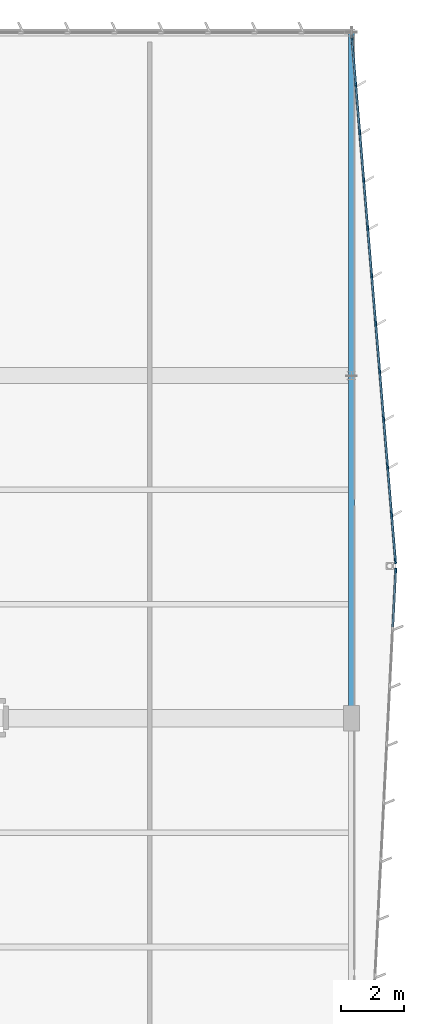
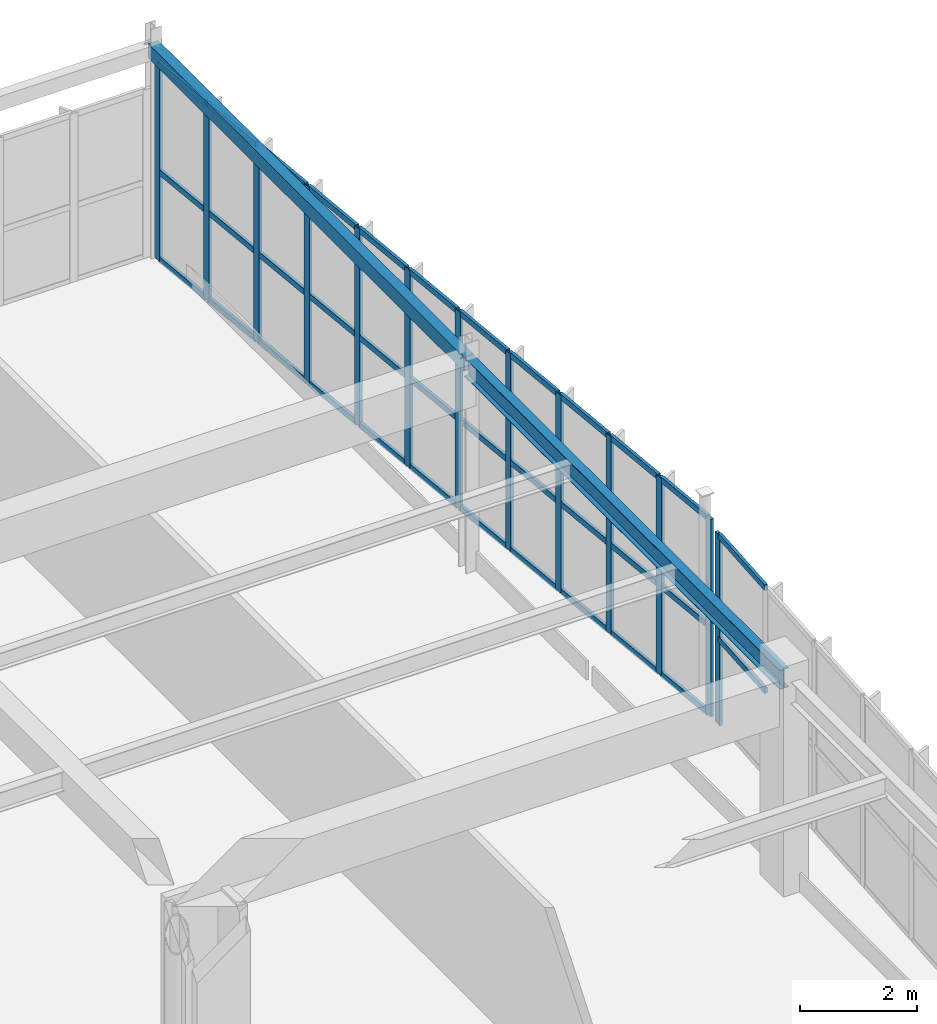
# One storey, part 112 of 186: 48 members, 2 beams, 2 elements without a shape of their own.
"""IFC4 building model written with IfcOpenShell, lengths in metres."""

from ifc_helpers import new_model, si_unit, direction, frame, origin, origin_2d, place, context, subcontext, project, spatial, rectangle, hollow_rectangle, i_section, extrude, material, layer, layer_set, material_profile, profile_set, type_object, element, aggregate, save


model = new_model("IFC4")

# Units and contexts
model_context = context("Model", 3, precision=1e-05, world=origin(), true_north=direction((0.0, 1.0)))
body_context = subcontext(model_context, "Body", "Model", "MODEL_VIEW")
ifc_project = project(units=[si_unit("LENGTHUNIT", "METRE"), si_unit("AREAUNIT", "SQUARE_METRE"), si_unit("VOLUMEUNIT", "CUBIC_METRE"), si_unit("PLANEANGLEUNIT", "RADIAN"), si_unit("MASSUNIT", "GRAM", prefix="KILO")], contexts=[model_context])

# Site, building, storey
site_placement = place(None, origin())
site = spatial("IfcSite", under=ifc_project, at=site_placement, CompositionType="ELEMENT")
building_placement = place(site_placement, origin())
building = spatial("IfcBuilding", under=site, at=building_placement, Name="Tarnwether General Hospital", CompositionType="ELEMENT")
storey_placement = place(building_placement, frame((0.0, 0.0, 9.60009765625)))
storey = spatial("IfcBuildingStorey", under=building, at=storey_placement, Name="L02", CompositionType="ELEMENT", Elevation=9.60009765625)

# Beams
ifc_material_1 = material(Name="Steel Grade 350 (350 MPa)", Category="steel")
ifc_material_profile_1 = material_profile(ifc_material_1, i_section(OverallWidth=0.177978515625, OverallDepth=0.403076171875, WebThickness=0.007568359375, FlangeThickness=0.010986328125, at=origin_2d()), Name="410UB53.7")
ifc_profile_set_1 = profile_set([ifc_material_profile_1], Name="Steel Grade 350 (350 MPa)")
beam_type_1 = type_object("IfcBeamType", Name="BM-SP2", PredefinedType="SPANDREL", material=ifc_profile_set_1)
beam_1_placement = place(storey_placement, frame((192.0, 104.39990234375, 4.23828125), z_axis=(0.0, 1.0, 0.0), x_axis=(-1.0, 0.0, 0.0)))
element("IfcBeam", 1, at=beam_1_placement, inside=storey, type_object=beam_type_1, Name="Primary Girder BMG-L02-19200_10440-19200_11520-1646", PredefinedType="SPANDREL", context=body_context, shape_type="SweptSolid", body=[
    extrude(i_section(OverallWidth=0.177978515625, OverallDepth=0.403076171875, WebThickness=0.007568359375, FlangeThickness=0.010986328125, at=origin_2d()), origin(), (0.0, 0.0, 1.0), 10.800048828125),
])
ifc_material_2 = material(Name="Steel Grade C350L0 (350 MPa)", Category="steel")
ifc_material_profile_2 = material_profile(ifc_material_2, hollow_rectangle(XDim=0.199951171875, YDim=0.300048828125, WallThickness=0.012451171875, at=origin_2d()), Name="RHS300x200x12.5")
ifc_profile_set_2 = profile_set([ifc_material_profile_2], Name="Steel Grade C350L0 (350 MPa)")
beam_type_2 = type_object("IfcBeamType", Name="BM-SP3", PredefinedType="SPANDREL", material=ifc_profile_set_2)
beam_2_placement = place(storey_placement, frame((192.0, 115.199951171875, 4.289794921875), z_axis=(0.0, 1.0, 0.0), x_axis=(-1.0, 0.0, 0.0)))
element("IfcBeam", 2, at=beam_2_placement, inside=storey, type_object=beam_type_2, Name="Primary Girder BMG-L02-19200_11520-19200_12600-1647", PredefinedType="SPANDREL", context=body_context, shape_type="SweptSolid", body=[
    extrude(hollow_rectangle(XDim=0.199951171875, YDim=0.300048828125, WallThickness=0.012451171875, at=origin_2d()), origin(), (0.0, 0.0, 1.0), 10.800048828125),
])

# Curtain wall, members
ifc_material_3 = material(Name="Anodised aluminium", Category="aluminium")
ifc_layer_1 = layer(ifc_material_3, 0.159912109375)
ifc_layer_set_1 = layer_set([ifc_layer_1], Name="Anodised aluminium")
curtain_wall_type_1 = type_object("IfcCurtainWallType", Name="CW-16", PredefinedType="NOTDEFINED", material=ifc_layer_set_1)
curtain_wall_1_placement = place(storey_placement, origin())
curtain_wall_1 = element("IfcCurtainWall", 3, at=curtain_wall_1_placement, inside=storey, type_object=curtain_wall_type_1, Name="Curtain Wall CWG-L02-1920_1259-0470", PredefinedType="NOTDEFINED")
ifc_material_4 = material(Name="Anodised aluminium", Category="aluminium")
ifc_material_profile_3 = material_profile(ifc_material_4, rectangle(XDim=0.06005859375, YDim=0.159912109375, at=origin_2d()), Name="ALU-MUL-60x160")
ifc_profile_set_3 = profile_set([ifc_material_profile_3], Name="Anodised aluminium")
member_type_1 = type_object("IfcMemberType", Name="CW-ML1", PredefinedType="MULLION", material=ifc_profile_set_3)
member_1_placement = place(storey_placement, frame((192.012451171875, 125.84912109375, 0.0), z_axis=(0.0, 0.0, 1.0), x_axis=(0.996546588737, 0.08303551335, 0.0)))
member_1 = element("IfcMember", 4, at=member_1_placement, type_object=member_type_1, Name="CW-16 mullion 1", PredefinedType="MULLION", context=body_context, shape_type="SweptSolid", body=[
    extrude(rectangle(XDim=0.06005859375, YDim=0.159912109375, at=origin_2d()), origin(), (0.0, 0.0, 1.0), 4.125),
])
member_2_placement = place(storey_placement, frame((192.13525390625, 124.37451171875, 0.0), z_axis=(0.0, 0.0, 1.0), x_axis=(0.996546588737, 0.08303551335, 0.0)))
member_2 = element("IfcMember", 5, at=member_2_placement, type_object=member_type_1, Name="CW-16 mullion 2", PredefinedType="MULLION", context=body_context, shape_type="SweptSolid", body=[
    extrude(rectangle(XDim=0.06005859375, YDim=0.159912109375, at=origin_2d()), origin(), (0.0, 0.0, 1.0), 4.125),
])
member_3_placement = place(storey_placement, frame((192.2607421875, 122.869873046875, 0.0), z_axis=(0.0, 0.0, 1.0), x_axis=(0.996546588737, 0.08303551335, 0.0)))
member_3 = element("IfcMember", 6, at=member_3_placement, type_object=member_type_1, Name="CW-16 mullion 3", PredefinedType="MULLION", context=body_context, shape_type="SweptSolid", body=[
    extrude(rectangle(XDim=0.06005859375, YDim=0.159912109375, at=origin_2d()), origin(), (0.0, 0.0, 1.0), 4.125),
])
member_4_placement = place(storey_placement, frame((192.385986328125, 121.365478515625, 0.0), z_axis=(0.0, 0.0, 1.0), x_axis=(0.996546588737, 0.08303551335, 0.0)))
member_4 = element("IfcMember", 7, at=member_4_placement, type_object=member_type_1, Name="CW-16 mullion 4", PredefinedType="MULLION", context=body_context, shape_type="SweptSolid", body=[
    extrude(rectangle(XDim=0.06005859375, YDim=0.159912109375, at=origin_2d()), origin(), (0.0, 0.0, 1.0), 4.125),
])
member_5_placement = place(storey_placement, frame((192.511474609375, 119.86083984375, 0.0), z_axis=(0.0, 0.0, 1.0), x_axis=(0.996546588737, 0.08303551335, 0.0)))
member_5 = element("IfcMember", 8, at=member_5_placement, type_object=member_type_1, Name="CW-16 mullion 5", PredefinedType="MULLION", context=body_context, shape_type="SweptSolid", body=[
    extrude(rectangle(XDim=0.06005859375, YDim=0.159912109375, at=origin_2d()), origin(), (0.0, 0.0, 1.0), 4.125),
])
member_6_placement = place(storey_placement, frame((192.63671875, 118.356201171875, 0.0), z_axis=(0.0, 0.0, 1.0), x_axis=(0.996546588737, 0.08303551335, 0.0)))
member_6 = element("IfcMember", 9, at=member_6_placement, type_object=member_type_1, Name="CW-16 mullion 6", PredefinedType="MULLION", context=body_context, shape_type="SweptSolid", body=[
    extrude(rectangle(XDim=0.06005859375, YDim=0.159912109375, at=origin_2d()), origin(), (0.0, 0.0, 1.0), 4.125),
])
member_7_placement = place(storey_placement, frame((192.76220703125, 116.851806640625, 0.0), z_axis=(0.0, 0.0, 1.0), x_axis=(0.996546588737, 0.08303551335, 0.0)))
member_7 = element("IfcMember", 10, at=member_7_placement, type_object=member_type_1, Name="CW-16 mullion 7", PredefinedType="MULLION", context=body_context, shape_type="SweptSolid", body=[
    extrude(rectangle(XDim=0.06005859375, YDim=0.159912109375, at=origin_2d()), origin(), (0.0, 0.0, 1.0), 4.125),
])
member_8_placement = place(storey_placement, frame((192.887451171875, 115.34716796875, 0.0), z_axis=(0.0, 0.0, 1.0), x_axis=(0.996546588737, 0.08303551335, 0.0)))
member_8 = element("IfcMember", 11, at=member_8_placement, type_object=member_type_1, Name="CW-16 mullion 8", PredefinedType="MULLION", context=body_context, shape_type="SweptSolid", body=[
    extrude(rectangle(XDim=0.06005859375, YDim=0.159912109375, at=origin_2d()), origin(), (0.0, 0.0, 1.0), 4.125),
])
member_9_placement = place(storey_placement, frame((193.012939453125, 113.842529296875, 0.0), z_axis=(0.0, 0.0, 1.0), x_axis=(0.996546588737, 0.08303551335, 0.0)))
member_9 = element("IfcMember", 12, at=member_9_placement, type_object=member_type_1, Name="CW-16 mullion 9", PredefinedType="MULLION", context=body_context, shape_type="SweptSolid", body=[
    extrude(rectangle(XDim=0.06005859375, YDim=0.159912109375, at=origin_2d()), origin(), (0.0, 0.0, 1.0), 4.125),
])
member_10_placement = place(storey_placement, frame((193.13818359375, 112.338134765625, 0.0), z_axis=(0.0, 0.0, 1.0), x_axis=(0.996546588737, 0.08303551335, 0.0)))
member_10 = element("IfcMember", 13, at=member_10_placement, type_object=member_type_1, Name="CW-16 mullion 10", PredefinedType="MULLION", context=body_context, shape_type="SweptSolid", body=[
    extrude(rectangle(XDim=0.06005859375, YDim=0.159912109375, at=origin_2d()), origin(), (0.0, 0.0, 1.0), 4.125),
])
member_11_placement = place(storey_placement, frame((193.263671875, 110.83349609375, 0.0), z_axis=(0.0, 0.0, 1.0), x_axis=(0.996546588737, 0.08303551335, 0.0)))
member_11 = element("IfcMember", 14, at=member_11_placement, type_object=member_type_1, Name="CW-16 mullion 11", PredefinedType="MULLION", context=body_context, shape_type="SweptSolid", body=[
    extrude(rectangle(XDim=0.06005859375, YDim=0.159912109375, at=origin_2d()), origin(), (0.0, 0.0, 1.0), 4.125),
])
member_12_placement = place(storey_placement, frame((193.386474609375, 109.35888671875, 0.0), z_axis=(0.0, 0.0, 1.0), x_axis=(0.996546588737, 0.08303551335, 0.0)))
member_12 = element("IfcMember", 15, at=member_12_placement, type_object=member_type_1, Name="CW-16 mullion 12", PredefinedType="MULLION", context=body_context, shape_type="SweptSolid", body=[
    extrude(rectangle(XDim=0.06005859375, YDim=0.159912109375, at=origin_2d()), origin(), (0.0, 0.0, 1.0), 4.125),
])

# Curtain wall, member
ifc_material_5 = material(Name="Anodised aluminium", Category="aluminium")
ifc_layer_2 = layer(ifc_material_5, 0.159912109375)
ifc_layer_set_2 = layer_set([ifc_layer_2], Name="Anodised aluminium")
curtain_wall_type_2 = type_object("IfcCurtainWallType", Name="CW-17", PredefinedType="NOTDEFINED", material=ifc_layer_set_2)
curtain_wall_2_placement = place(storey_placement, origin())
curtain_wall_2 = element("IfcCurtainWall", 16, at=curtain_wall_2_placement, inside=storey, type_object=curtain_wall_type_2, Name="Curtain Wall CWG-L02-1934_1091-0471", PredefinedType="NOTDEFINED")
member_13_placement = place(storey_placement, frame((193.392578125, 109.050048828125, 0.0), z_axis=(0.0, 0.0, 1.0), x_axis=(0.998715060385, -0.050677688973, 0.0)))
member_13 = element("IfcMember", 17, at=member_13_placement, type_object=member_type_1, Name="CW-17 mullion 1", PredefinedType="MULLION", context=body_context, shape_type="SweptSolid", body=[
    extrude(rectangle(XDim=0.06005859375, YDim=0.159912109375, at=origin_2d()), origin(), (0.0, 0.0, 1.0), 3.968017578125),
])

# Member
ifc_material_6 = material(Name="Anodised aluminium", Category="aluminium")
ifc_material_profile_4 = material_profile(ifc_material_6, rectangle(XDim=0.06005859375, YDim=0.1201171875, at=origin_2d()), Name="ALU-TRN-60x120")
ifc_profile_set_4 = profile_set([ifc_material_profile_4], Name="Anodised aluminium")
member_type_2 = type_object("IfcMemberType", Name="CW-TR1", PredefinedType="USERDEFINED", material=ifc_profile_set_4)
member_14_placement = place(storey_placement, frame((192.014892578125, 125.819091796875, 0.02978515625), z_axis=(0.083059711537, -0.996544572169, 0.0), x_axis=(0.996544572169, 0.083059711537, 0.0)))
member_14 = element("IfcMember", 18, at=member_14_placement, type_object=member_type_2, Name="CW-16 transom 1.1", ObjectType="TRANSOM", PredefinedType="USERDEFINED", context=body_context, shape_type="SweptSolid", body=[
    extrude(rectangle(XDim=0.06005859375, YDim=0.1201171875, at=origin_2d()), origin(), (0.0, 0.0, 1.0), 1.419677734375),
])

member_15_placement = place(storey_placement, frame((192.014892578125, 125.819091796875, 1.856201171875), z_axis=(0.083059711537, -0.996544572169, 0.0), x_axis=(0.996544572169, 0.083059711537, 0.0)))
member_15 = element("IfcMember", 19, at=member_15_placement, type_object=member_type_2, Name="CW-16 transom 1.2", ObjectType="TRANSOM", PredefinedType="USERDEFINED", context=body_context, shape_type="SweptSolid", body=[
    extrude(rectangle(XDim=0.06005859375, YDim=0.1201171875, at=origin_2d()), origin(), (0.0, 0.0, 1.0), 1.419677734375),
])

member_16_placement = place(storey_placement, frame((192.014892578125, 125.819091796875, 4.094970703125), z_axis=(0.083059711537, -0.996544572169, 0.0), x_axis=(0.996544572169, 0.083059711537, 0.0)))
member_16 = element("IfcMember", 20, at=member_16_placement, type_object=member_type_2, Name="CW-16 transom 1.3", ObjectType="TRANSOM", PredefinedType="USERDEFINED", context=body_context, shape_type="SweptSolid", body=[
    extrude(rectangle(XDim=0.06005859375, YDim=0.1201171875, at=origin_2d()), origin(), (0.0, 0.0, 1.0), 1.419677734375),
])

member_17_placement = place(storey_placement, frame((192.137939453125, 124.344482421875, 0.02978515625), z_axis=(0.083031541558, -0.996546919671, 0.0), x_axis=(0.996546919671, 0.083031541558, 0.0)))
member_17 = element("IfcMember", 21, at=member_17_placement, type_object=member_type_2, Name="CW-16 transom 2.1", ObjectType="TRANSOM", PredefinedType="USERDEFINED", context=body_context, shape_type="SweptSolid", body=[
    extrude(rectangle(XDim=0.06005859375, YDim=0.1201171875, at=origin_2d()), origin(), (0.0, 0.0, 1.0), 1.44970703125),
])

member_18_placement = place(storey_placement, frame((192.137939453125, 124.344482421875, 1.856201171875), z_axis=(0.083031541558, -0.996546919671, 0.0), x_axis=(0.996546919671, 0.083031541558, 0.0)))
member_18 = element("IfcMember", 22, at=member_18_placement, type_object=member_type_2, Name="CW-16 transom 2.2", ObjectType="TRANSOM", PredefinedType="USERDEFINED", context=body_context, shape_type="SweptSolid", body=[
    extrude(rectangle(XDim=0.06005859375, YDim=0.1201171875, at=origin_2d()), origin(), (0.0, 0.0, 1.0), 1.44970703125),
])

member_19_placement = place(storey_placement, frame((192.137939453125, 124.344482421875, 4.094970703125), z_axis=(0.083031541558, -0.996546919671, 0.0), x_axis=(0.996546919671, 0.083031541558, 0.0)))
member_19 = element("IfcMember", 23, at=member_19_placement, type_object=member_type_2, Name="CW-16 transom 2.3", ObjectType="TRANSOM", PredefinedType="USERDEFINED", context=body_context, shape_type="SweptSolid", body=[
    extrude(rectangle(XDim=0.06005859375, YDim=0.1201171875, at=origin_2d()), origin(), (0.0, 0.0, 1.0), 1.44970703125),
])

member_20_placement = place(storey_placement, frame((192.26318359375, 122.840087890625, 0.02978515625), z_axis=(0.083017607924, -0.996548080513, 0.0), x_axis=(0.996548080513, 0.083017607924, 0.0)))
member_20 = element("IfcMember", 24, at=member_20_placement, type_object=member_type_2, Name="CW-16 transom 3.1", ObjectType="TRANSOM", PredefinedType="USERDEFINED", context=body_context, shape_type="SweptSolid", body=[
    extrude(rectangle(XDim=0.06005859375, YDim=0.1201171875, at=origin_2d()), origin(), (0.0, 0.0, 1.0), 1.44970703125),
])

member_21_placement = place(storey_placement, frame((192.26318359375, 122.840087890625, 1.856201171875), z_axis=(0.083017607924, -0.996548080513, 0.0), x_axis=(0.996548080513, 0.083017607924, 0.0)))
member_21 = element("IfcMember", 25, at=member_21_placement, type_object=member_type_2, Name="CW-16 transom 3.2", ObjectType="TRANSOM", PredefinedType="USERDEFINED", context=body_context, shape_type="SweptSolid", body=[
    extrude(rectangle(XDim=0.06005859375, YDim=0.1201171875, at=origin_2d()), origin(), (0.0, 0.0, 1.0), 1.44970703125),
])

member_22_placement = place(storey_placement, frame((192.26318359375, 122.840087890625, 4.094970703125), z_axis=(0.083017607924, -0.996548080513, 0.0), x_axis=(0.996548080513, 0.083017607924, 0.0)))
member_22 = element("IfcMember", 26, at=member_22_placement, type_object=member_type_2, Name="CW-16 transom 3.3", ObjectType="TRANSOM", PredefinedType="USERDEFINED", context=body_context, shape_type="SweptSolid", body=[
    extrude(rectangle(XDim=0.06005859375, YDim=0.1201171875, at=origin_2d()), origin(), (0.0, 0.0, 1.0), 1.44970703125),
])

member_23_placement = place(storey_placement, frame((192.388671875, 121.33544921875, 0.02978515625), z_axis=(0.083017607924, -0.996548080513, 0.0), x_axis=(0.996548080513, 0.083017607924, 0.0)))
member_23 = element("IfcMember", 27, at=member_23_placement, type_object=member_type_2, Name="CW-16 transom 4.1", ObjectType="TRANSOM", PredefinedType="USERDEFINED", context=body_context, shape_type="SweptSolid", body=[
    extrude(rectangle(XDim=0.06005859375, YDim=0.1201171875, at=origin_2d()), origin(), (0.0, 0.0, 1.0), 1.44970703125),
])

member_24_placement = place(storey_placement, frame((192.388671875, 121.33544921875, 1.856201171875), z_axis=(0.083017607924, -0.996548080513, 0.0), x_axis=(0.996548080513, 0.083017607924, 0.0)))
member_24 = element("IfcMember", 28, at=member_24_placement, type_object=member_type_2, Name="CW-16 transom 4.2", ObjectType="TRANSOM", PredefinedType="USERDEFINED", context=body_context, shape_type="SweptSolid", body=[
    extrude(rectangle(XDim=0.06005859375, YDim=0.1201171875, at=origin_2d()), origin(), (0.0, 0.0, 1.0), 1.44970703125),
])

member_25_placement = place(storey_placement, frame((192.388671875, 121.33544921875, 4.094970703125), z_axis=(0.083017607924, -0.996548080513, 0.0), x_axis=(0.996548080513, 0.083017607924, 0.0)))
member_25 = element("IfcMember", 29, at=member_25_placement, type_object=member_type_2, Name="CW-16 transom 4.3", ObjectType="TRANSOM", PredefinedType="USERDEFINED", context=body_context, shape_type="SweptSolid", body=[
    extrude(rectangle(XDim=0.06005859375, YDim=0.1201171875, at=origin_2d()), origin(), (0.0, 0.0, 1.0), 1.44970703125),
])

member_26_placement = place(storey_placement, frame((192.513916015625, 119.830810546875, 0.02978515625), z_axis=(0.083031541558, -0.996546919671, 0.0), x_axis=(0.996546919671, 0.083031541558, 0.0)))
member_26 = element("IfcMember", 30, at=member_26_placement, type_object=member_type_2, Name="CW-16 transom 5.1", ObjectType="TRANSOM", PredefinedType="USERDEFINED", context=body_context, shape_type="SweptSolid", body=[
    extrude(rectangle(XDim=0.06005859375, YDim=0.1201171875, at=origin_2d()), origin(), (0.0, 0.0, 1.0), 1.44970703125),
])

member_27_placement = place(storey_placement, frame((192.513916015625, 119.830810546875, 1.856201171875), z_axis=(0.083031541558, -0.996546919671, 0.0), x_axis=(0.996546919671, 0.083031541558, 0.0)))
member_27 = element("IfcMember", 31, at=member_27_placement, type_object=member_type_2, Name="CW-16 transom 5.2", ObjectType="TRANSOM", PredefinedType="USERDEFINED", context=body_context, shape_type="SweptSolid", body=[
    extrude(rectangle(XDim=0.06005859375, YDim=0.1201171875, at=origin_2d()), origin(), (0.0, 0.0, 1.0), 1.44970703125),
])

member_28_placement = place(storey_placement, frame((192.513916015625, 119.830810546875, 4.094970703125), z_axis=(0.083031541558, -0.996546919671, 0.0), x_axis=(0.996546919671, 0.083031541558, 0.0)))
member_28 = element("IfcMember", 32, at=member_28_placement, type_object=member_type_2, Name="CW-16 transom 5.3", ObjectType="TRANSOM", PredefinedType="USERDEFINED", context=body_context, shape_type="SweptSolid", body=[
    extrude(rectangle(XDim=0.06005859375, YDim=0.1201171875, at=origin_2d()), origin(), (0.0, 0.0, 1.0), 1.44970703125),
])

member_29_placement = place(storey_placement, frame((192.639404296875, 118.326416015625, 0.02978515625), z_axis=(0.083017607924, -0.996548080513, 0.0), x_axis=(0.996548080513, 0.083017607924, 0.0)))
member_29 = element("IfcMember", 33, at=member_29_placement, type_object=member_type_2, Name="CW-16 transom 6.1", ObjectType="TRANSOM", PredefinedType="USERDEFINED", context=body_context, shape_type="SweptSolid", body=[
    extrude(rectangle(XDim=0.06005859375, YDim=0.1201171875, at=origin_2d()), origin(), (0.0, 0.0, 1.0), 1.44970703125),
])

member_30_placement = place(storey_placement, frame((192.639404296875, 118.326416015625, 1.856201171875), z_axis=(0.083017607924, -0.996548080513, 0.0), x_axis=(0.996548080513, 0.083017607924, 0.0)))
member_30 = element("IfcMember", 34, at=member_30_placement, type_object=member_type_2, Name="CW-16 transom 6.2", ObjectType="TRANSOM", PredefinedType="USERDEFINED", context=body_context, shape_type="SweptSolid", body=[
    extrude(rectangle(XDim=0.06005859375, YDim=0.1201171875, at=origin_2d()), origin(), (0.0, 0.0, 1.0), 1.44970703125),
])

member_31_placement = place(storey_placement, frame((192.639404296875, 118.326416015625, 4.094970703125), z_axis=(0.083017607924, -0.996548080513, 0.0), x_axis=(0.996548080513, 0.083017607924, 0.0)))
member_31 = element("IfcMember", 35, at=member_31_placement, type_object=member_type_2, Name="CW-16 transom 6.3", ObjectType="TRANSOM", PredefinedType="USERDEFINED", context=body_context, shape_type="SweptSolid", body=[
    extrude(rectangle(XDim=0.06005859375, YDim=0.1201171875, at=origin_2d()), origin(), (0.0, 0.0, 1.0), 1.44970703125),
])

member_32_placement = place(storey_placement, frame((192.7646484375, 116.82177734375, 0.02978515625), z_axis=(0.083031541558, -0.996546919671, 0.0), x_axis=(0.996546919671, 0.083031541558, 0.0)))
member_32 = element("IfcMember", 36, at=member_32_placement, type_object=member_type_2, Name="CW-16 transom 7.1", ObjectType="TRANSOM", PredefinedType="USERDEFINED", context=body_context, shape_type="SweptSolid", body=[
    extrude(rectangle(XDim=0.06005859375, YDim=0.1201171875, at=origin_2d()), origin(), (0.0, 0.0, 1.0), 1.44970703125),
])

member_33_placement = place(storey_placement, frame((192.7646484375, 116.82177734375, 1.856201171875), z_axis=(0.083031541558, -0.996546919671, 0.0), x_axis=(0.996546919671, 0.083031541558, 0.0)))
member_33 = element("IfcMember", 37, at=member_33_placement, type_object=member_type_2, Name="CW-16 transom 7.2", ObjectType="TRANSOM", PredefinedType="USERDEFINED", context=body_context, shape_type="SweptSolid", body=[
    extrude(rectangle(XDim=0.06005859375, YDim=0.1201171875, at=origin_2d()), origin(), (0.0, 0.0, 1.0), 1.44970703125),
])

member_34_placement = place(storey_placement, frame((192.7646484375, 116.82177734375, 4.094970703125), z_axis=(0.083031541558, -0.996546919671, 0.0), x_axis=(0.996546919671, 0.083031541558, 0.0)))
member_34 = element("IfcMember", 38, at=member_34_placement, type_object=member_type_2, Name="CW-16 transom 7.3", ObjectType="TRANSOM", PredefinedType="USERDEFINED", context=body_context, shape_type="SweptSolid", body=[
    extrude(rectangle(XDim=0.06005859375, YDim=0.1201171875, at=origin_2d()), origin(), (0.0, 0.0, 1.0), 1.44970703125),
])

member_35_placement = place(storey_placement, frame((192.89013671875, 115.3173828125, 0.02978515625), z_axis=(0.083017607924, -0.996548080513, 0.0), x_axis=(0.996548080513, 0.083017607924, 0.0)))
member_35 = element("IfcMember", 39, at=member_35_placement, type_object=member_type_2, Name="CW-16 transom 8.1", ObjectType="TRANSOM", PredefinedType="USERDEFINED", context=body_context, shape_type="SweptSolid", body=[
    extrude(rectangle(XDim=0.06005859375, YDim=0.1201171875, at=origin_2d()), origin(), (0.0, 0.0, 1.0), 1.44970703125),
])

member_36_placement = place(storey_placement, frame((192.89013671875, 115.3173828125, 1.856201171875), z_axis=(0.083017607924, -0.996548080513, 0.0), x_axis=(0.996548080513, 0.083017607924, 0.0)))
member_36 = element("IfcMember", 40, at=member_36_placement, type_object=member_type_2, Name="CW-16 transom 8.2", ObjectType="TRANSOM", PredefinedType="USERDEFINED", context=body_context, shape_type="SweptSolid", body=[
    extrude(rectangle(XDim=0.06005859375, YDim=0.1201171875, at=origin_2d()), origin(), (0.0, 0.0, 1.0), 1.44970703125),
])

member_37_placement = place(storey_placement, frame((192.89013671875, 115.3173828125, 4.094970703125), z_axis=(0.083017607924, -0.996548080513, 0.0), x_axis=(0.996548080513, 0.083017607924, 0.0)))
member_37 = element("IfcMember", 41, at=member_37_placement, type_object=member_type_2, Name="CW-16 transom 8.3", ObjectType="TRANSOM", PredefinedType="USERDEFINED", context=body_context, shape_type="SweptSolid", body=[
    extrude(rectangle(XDim=0.06005859375, YDim=0.1201171875, at=origin_2d()), origin(), (0.0, 0.0, 1.0), 1.44970703125),
])

member_38_placement = place(storey_placement, frame((193.015380859375, 113.812744140625, 0.02978515625), z_axis=(0.083017607924, -0.996548080513, 0.0), x_axis=(0.996548080513, 0.083017607924, 0.0)))
member_38 = element("IfcMember", 42, at=member_38_placement, type_object=member_type_2, Name="CW-16 transom 9.1", ObjectType="TRANSOM", PredefinedType="USERDEFINED", context=body_context, shape_type="SweptSolid", body=[
    extrude(rectangle(XDim=0.06005859375, YDim=0.1201171875, at=origin_2d()), origin(), (0.0, 0.0, 1.0), 1.44970703125),
])

member_39_placement = place(storey_placement, frame((193.015380859375, 113.812744140625, 1.856201171875), z_axis=(0.083017607924, -0.996548080513, 0.0), x_axis=(0.996548080513, 0.083017607924, 0.0)))
member_39 = element("IfcMember", 43, at=member_39_placement, type_object=member_type_2, Name="CW-16 transom 9.2", ObjectType="TRANSOM", PredefinedType="USERDEFINED", context=body_context, shape_type="SweptSolid", body=[
    extrude(rectangle(XDim=0.06005859375, YDim=0.1201171875, at=origin_2d()), origin(), (0.0, 0.0, 1.0), 1.44970703125),
])

member_40_placement = place(storey_placement, frame((193.015380859375, 113.812744140625, 4.094970703125), z_axis=(0.083017607924, -0.996548080513, 0.0), x_axis=(0.996548080513, 0.083017607924, 0.0)))
member_40 = element("IfcMember", 44, at=member_40_placement, type_object=member_type_2, Name="CW-16 transom 9.3", ObjectType="TRANSOM", PredefinedType="USERDEFINED", context=body_context, shape_type="SweptSolid", body=[
    extrude(rectangle(XDim=0.06005859375, YDim=0.1201171875, at=origin_2d()), origin(), (0.0, 0.0, 1.0), 1.44970703125),
])

member_41_placement = place(storey_placement, frame((193.140869140625, 112.30810546875, 0.02978515625), z_axis=(0.083031541558, -0.996546919671, 0.0), x_axis=(0.996546919671, 0.083031541558, 0.0)))
member_41 = element("IfcMember", 45, at=member_41_placement, type_object=member_type_2, Name="CW-16 transom 10.1", ObjectType="TRANSOM", PredefinedType="USERDEFINED", context=body_context, shape_type="SweptSolid", body=[
    extrude(rectangle(XDim=0.06005859375, YDim=0.1201171875, at=origin_2d()), origin(), (0.0, 0.0, 1.0), 1.44970703125),
])

member_42_placement = place(storey_placement, frame((193.140869140625, 112.30810546875, 1.856201171875), z_axis=(0.083031541558, -0.996546919671, 0.0), x_axis=(0.996546919671, 0.083031541558, 0.0)))
member_42 = element("IfcMember", 46, at=member_42_placement, type_object=member_type_2, Name="CW-16 transom 10.2", ObjectType="TRANSOM", PredefinedType="USERDEFINED", context=body_context, shape_type="SweptSolid", body=[
    extrude(rectangle(XDim=0.06005859375, YDim=0.1201171875, at=origin_2d()), origin(), (0.0, 0.0, 1.0), 1.44970703125),
])

member_43_placement = place(storey_placement, frame((193.140869140625, 112.30810546875, 4.094970703125), z_axis=(0.083031541558, -0.996546919671, 0.0), x_axis=(0.996546919671, 0.083031541558, 0.0)))
member_43 = element("IfcMember", 47, at=member_43_placement, type_object=member_type_2, Name="CW-16 transom 10.3", ObjectType="TRANSOM", PredefinedType="USERDEFINED", context=body_context, shape_type="SweptSolid", body=[
    extrude(rectangle(XDim=0.06005859375, YDim=0.1201171875, at=origin_2d()), origin(), (0.0, 0.0, 1.0), 1.44970703125),
])

member_44_placement = place(storey_placement, frame((193.26611328125, 110.8037109375, 0.02978515625), z_axis=(0.083045479854, -0.996545758245, 0.0), x_axis=(0.996545758245, 0.083045479854, 0.0)))
member_44 = element("IfcMember", 48, at=member_44_placement, type_object=member_type_2, Name="CW-16 transom 11.1", ObjectType="TRANSOM", PredefinedType="USERDEFINED", context=body_context, shape_type="SweptSolid", body=[
    extrude(rectangle(XDim=0.06005859375, YDim=0.1201171875, at=origin_2d()), origin(), (0.0, 0.0, 1.0), 1.419921875),
])

member_45_placement = place(storey_placement, frame((193.26611328125, 110.8037109375, 1.856201171875), z_axis=(0.083045479854, -0.996545758245, 0.0), x_axis=(0.996545758245, 0.083045479854, 0.0)))
member_45 = element("IfcMember", 49, at=member_45_placement, type_object=member_type_2, Name="CW-16 transom 11.2", ObjectType="TRANSOM", PredefinedType="USERDEFINED", context=body_context, shape_type="SweptSolid", body=[
    extrude(rectangle(XDim=0.06005859375, YDim=0.1201171875, at=origin_2d()), origin(), (0.0, 0.0, 1.0), 1.419921875),
])

member_46_placement = place(storey_placement, frame((193.26611328125, 110.8037109375, 4.094970703125), z_axis=(0.083045479854, -0.996545758245, 0.0), x_axis=(0.996545758245, 0.083045479854, 0.0)))
member_46 = element("IfcMember", 50, at=member_46_placement, type_object=member_type_2, Name="CW-16 transom 11.3", ObjectType="TRANSOM", PredefinedType="USERDEFINED", context=body_context, shape_type="SweptSolid", body=[
    extrude(rectangle(XDim=0.06005859375, YDim=0.1201171875, at=origin_2d()), origin(), (0.0, 0.0, 1.0), 1.419921875),
])

aggregate(curtain_wall_1, [member_1, member_2, member_3, member_4, member_5, member_6, member_7, member_8, member_9, member_10, member_11, member_12, member_14, member_15, member_16, member_17, member_18, member_19, member_20, member_21, member_22, member_23, member_24, member_25, member_26, member_27, member_28, member_29, member_30, member_31, member_32, member_33, member_34, member_35, member_36, member_37, member_38, member_39, member_40, member_41, member_42, member_43, member_44, member_45, member_46])

member_47_placement = place(storey_placement, frame((193.390869140625, 109.02001953125, 1.785400390625), z_axis=(-0.050694015422, -0.9987142318, 0.0), x_axis=(0.9987142318, -0.050694015422, 0.0)))
member_47 = element("IfcMember", 51, at=member_47_placement, type_object=member_type_2, Name="CW-17 transom 1.2", ObjectType="TRANSOM", PredefinedType="USERDEFINED", context=body_context, shape_type="SweptSolid", body=[
    extrude(rectangle(XDim=0.06005859375, YDim=0.1201171875, at=origin_2d()), origin(), (0.0, 0.0, 1.0), 1.738525390625),
])

member_48_placement = place(storey_placement, frame((193.390869140625, 109.02001953125, 3.93798828125), z_axis=(-0.050694015422, -0.9987142318, 0.0), x_axis=(0.9987142318, -0.050694015422, 0.0)))
member_48 = element("IfcMember", 52, at=member_48_placement, type_object=member_type_2, Name="CW-17 transom 1.3", ObjectType="TRANSOM", PredefinedType="USERDEFINED", context=body_context, shape_type="SweptSolid", body=[
    extrude(rectangle(XDim=0.06005859375, YDim=0.1201171875, at=origin_2d()), origin(), (0.0, 0.0, 1.0), 1.738525390625),
])

aggregate(curtain_wall_2, [member_13, member_47, member_48])

save(model, "model.ifc")
